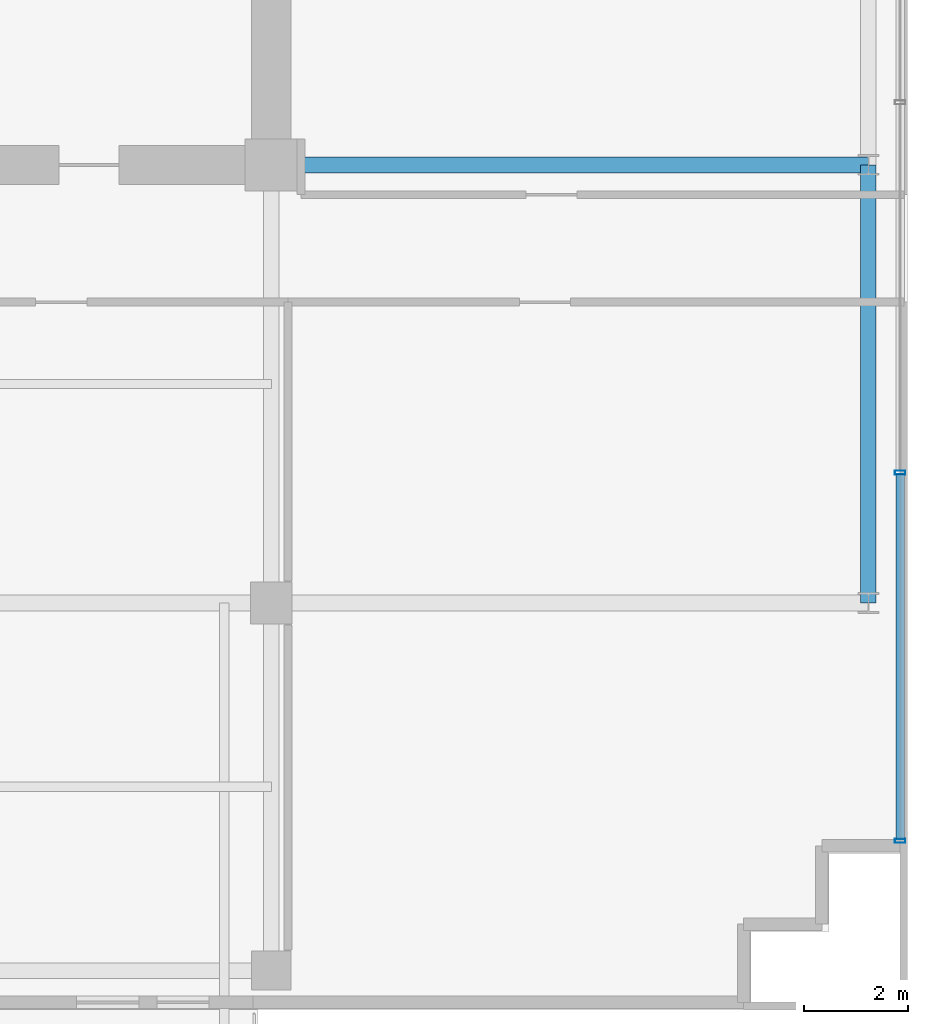
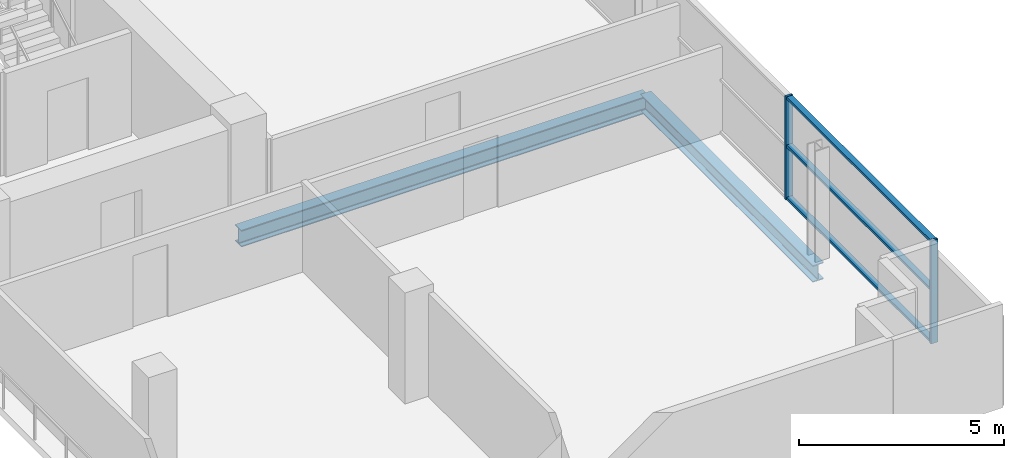
# One storey, part 7 of 22: 5 members, 2 beams, 1 element without a shape of its own.
"""IFC4 building model written with IfcOpenShell, lengths in metres."""

from ifc_helpers import new_model, si_unit, direction, frame, origin, origin_2d, place, context, subcontext, project, spatial, hollow_rectangle, i_section, extrude, source, transform, mapped, material, layer, layer_set, material_profile, profile_set, type_object, element, aggregate, save


model = new_model("IFC4")

# Units and contexts
model_context = context("Model", 3, precision=1e-05, world=origin(), true_north=direction((0.0, 1.0)))
body_context = subcontext(model_context, "Body", "Model", "MODEL_VIEW")
ifc_project = project(units=[si_unit("LENGTHUNIT", "METRE"), si_unit("AREAUNIT", "SQUARE_METRE"), si_unit("VOLUMEUNIT", "CUBIC_METRE"), si_unit("PLANEANGLEUNIT", "RADIAN"), si_unit("MASSUNIT", "GRAM", prefix="KILO")], contexts=[model_context])

# Site, building, storey
site_placement = place(None, origin())
site = spatial("IfcSite", under=ifc_project, at=site_placement, CompositionType="ELEMENT")
building_placement = place(site_placement, origin())
building = spatial("IfcBuilding", under=site, at=building_placement, Name="Zarnakvel Exchange Tower", CompositionType="ELEMENT")
storey_placement = place(building_placement, frame((0.0, 0.0, 179.199951171875)))
storey = spatial("IfcBuildingStorey", under=building, at=storey_placement, Name="L50", CompositionType="ELEMENT", Elevation=179.199951171875)

# Beams
ifc_material_1 = material(Name="Steel S355", Category="steel")
ifc_material_profile_1 = material_profile(ifc_material_1, i_section(OverallWidth=0.300048828125, OverallDepth=0.5, WebThickness=0.014404296875, FlangeThickness=0.028076171875, FilletRadius=0.027099609375, at=origin_2d()))
ifc_profile_set_1 = profile_set([ifc_material_profile_1], Name="Steel S355")
beam_type_1 = type_object("IfcBeamType", Name="G-06", PredefinedType="BEAM", material=ifc_profile_set_1)
beam_1_placement = place(storey_placement, frame((14.39990234375, -1.199951171875, -0.474853515625), z_axis=(1.0, 0.0, 0.0), x_axis=(0.0, 1.0, 0.0)))
element("IfcBeam", 1, at=beam_1_placement, inside=storey, type_object=beam_type_1, Name="L50 Tower E-W Frame Beam", PredefinedType="BEAM", context=body_context, shape_type="SweptSolid", body=[
    extrude(i_section(OverallWidth=0.300048828125, OverallDepth=0.5, WebThickness=0.014404296875, FlangeThickness=0.028076171875, FilletRadius=0.027099609375, at=origin_2d()), origin(), (0.0, 0.0, 1.0), 11.4501953125),
])
ifc_material_profile_2 = material_profile(ifc_material_1, i_section(OverallWidth=0.300048828125, OverallDepth=0.5, WebThickness=0.014404296875, FlangeThickness=0.028076171875, FilletRadius=0.027099609375, at=origin_2d()))
ifc_profile_set_2 = profile_set([ifc_material_profile_2], Name="Steel S355")
beam_type_2 = type_object("IfcBeamType", Name="SP-02", PredefinedType="SPANDREL", material=ifc_profile_set_2)
beam_2_placement = place(storey_placement, frame((25.85009765625, -9.60009765625, -0.474853515625), z_axis=(0.0, 1.0, 0.0), x_axis=(-1.0, 0.0, 0.0)))
element("IfcBeam", 2, at=beam_2_placement, inside=storey, type_object=beam_type_2, Name="L50 Tower N-S Frame Beam", PredefinedType="SPANDREL", context=body_context, shape_type="SweptSolid", body=[
    extrude(i_section(OverallWidth=0.300048828125, OverallDepth=0.5, WebThickness=0.014404296875, FlangeThickness=0.028076171875, FilletRadius=0.027099609375, at=origin_2d()), origin(), (0.0, 0.0, 1.0), 8.400146484375),
])

# Curtain wall, members
ifc_material_2 = material(Name="Architectural Bronze Anodised Aluminium", Category="aluminium")
ifc_layer = layer(ifc_material_2, 0.199951171875)
ifc_layer_set = layer_set([ifc_layer], Name="Architectural Bronze Anodised Aluminium")
curtain_wall_type = type_object("IfcCurtainWallType", Name="CW-04", PredefinedType="NOTDEFINED", material=ifc_layer_set)
curtain_wall_placement = place(storey_placement, origin())
curtain_wall = element("IfcCurtainWall", 3, at=curtain_wall_placement, inside=storey, type_object=curtain_wall_type, Name="L50 Curtain Wall CW-L50-E1 (CW-04)", PredefinedType="NOTDEFINED")
ifc_material_profile_3 = material_profile(ifc_material_2, hollow_rectangle(XDim=0.199951171875, YDim=0.074951171875, WallThickness=0.0048828125, at=origin_2d()))
ifc_profile_set_3 = profile_set([ifc_material_profile_3], Name="Architectural Bronze Anodised Aluminium")
member_type_1 = type_object("IfcMemberType", Name="CWM-04", PredefinedType="MULLION", material=ifc_profile_set_3)
shared_shape_1 = source(origin(), body_context, "Body", "SweptSolid", [
    extrude(hollow_rectangle(XDim=0.199951171875, YDim=0.074951171875, WallThickness=0.0048828125, at=origin_2d()), origin(), (0.0, 0.0, 1.0), 3.054931640625),
])
member_1_placement = place(storey_placement, frame((26.4599609375, -14.16259765625, 0.0), z_axis=(0.0, 0.0, 1.0), x_axis=(-1.0, 0.0, 0.0)))
member_1 = element("IfcMember", 4, at=member_1_placement, type_object=member_type_1, Name="CW-04 mullion 1", PredefinedType="MULLION", context=body_context, shape_type="MappedRepresentation", body=[
    mapped(shared_shape_1, transform((0.0, 0.0, 0.0), x_axis=(1.0, 0.0, 0.0), y_axis=(0.0, 1.0, 0.0), z_axis=(0.0, 0.0, 1.0), scale=1.0)),
])
member_2_placement = place(storey_placement, frame((26.4599609375, -7.10009765625, 0.0), z_axis=(0.0, 0.0, 1.0), x_axis=(-1.0, 0.0, 0.0)))
member_2 = element("IfcMember", 5, at=member_2_placement, type_object=member_type_1, Name="CW-04 mullion 2", PredefinedType="MULLION", context=body_context, shape_type="MappedRepresentation", body=[
    mapped(shared_shape_1, transform((0.0, 0.0, 0.0), x_axis=(1.0, 0.0, 0.0), y_axis=(0.0, 1.0, 0.0), z_axis=(0.0, 0.0, 1.0), scale=1.0)),
])
ifc_material_profile_4 = material_profile(ifc_material_2, hollow_rectangle(XDim=0.159912109375, YDim=0.074951171875, WallThickness=0.00390625, at=origin_2d()))
ifc_profile_set_4 = profile_set([ifc_material_profile_4], Name="Architectural Bronze Anodised Aluminium")
member_type_2 = type_object("IfcMemberType", Name="CWT-04", PredefinedType="USERDEFINED", material=ifc_profile_set_4)
shared_shape_2 = source(origin(), body_context, "Body", "SweptSolid", [
    extrude(hollow_rectangle(XDim=0.159912109375, YDim=0.074951171875, WallThickness=0.00390625, at=origin_2d()), origin(), (0.0, 0.0, 1.0), 6.987548828125),
])
member_3_placement = place(storey_placement, frame((26.4599609375, -14.125, 0.03759765625), z_axis=(0.0, 1.0, 0.0), x_axis=(-1.0, 0.0, 0.0)))
member_3 = element("IfcMember", 6, at=member_3_placement, type_object=member_type_2, Name="CW-04 transom 1.1", ObjectType="TRANSOM", PredefinedType="USERDEFINED", context=body_context, shape_type="MappedRepresentation", body=[
    mapped(shared_shape_2, transform((0.0, 0.0, 0.0), x_axis=(1.0, 0.0, 0.0), y_axis=(0.0, 1.0, 0.0), z_axis=(0.0, 0.0, 1.0), scale=1.0)),
])
member_4_placement = place(storey_placement, frame((26.4599609375, -14.125, 1.588623046875), z_axis=(0.0, 1.0, 0.0), x_axis=(-1.0, 0.0, 0.0)))
member_4 = element("IfcMember", 7, at=member_4_placement, type_object=member_type_2, Name="CW-04 transom 1.2", ObjectType="TRANSOM", PredefinedType="USERDEFINED", context=body_context, shape_type="MappedRepresentation", body=[
    mapped(shared_shape_2, transform((0.0, 0.0, 0.0), x_axis=(1.0, 0.0, 0.0), y_axis=(0.0, 1.0, 0.0), z_axis=(0.0, 0.0, 1.0), scale=1.0)),
])
member_5_placement = place(storey_placement, frame((26.4599609375, -14.125, 3.017578125), z_axis=(0.0, 1.0, 0.0), x_axis=(-1.0, 0.0, 0.0)))
member_5 = element("IfcMember", 8, at=member_5_placement, type_object=member_type_2, Name="CW-04 transom 1.3", ObjectType="TRANSOM", PredefinedType="USERDEFINED", context=body_context, shape_type="MappedRepresentation", body=[
    mapped(shared_shape_2, transform((0.0, 0.0, 0.0), x_axis=(1.0, 0.0, 0.0), y_axis=(0.0, 1.0, 0.0), z_axis=(0.0, 0.0, 1.0), scale=1.0)),
])
aggregate(curtain_wall, [member_1, member_2, member_3, member_4, member_5])

save(model, "model.ifc")
